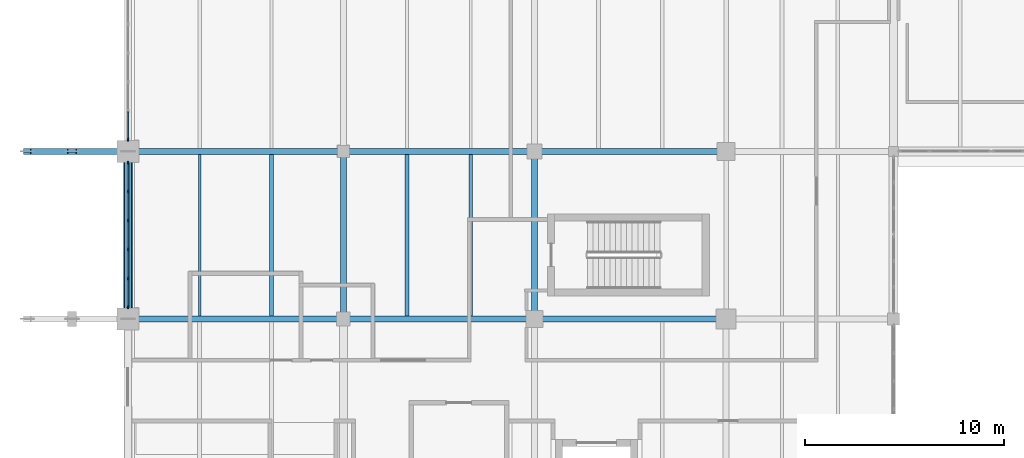
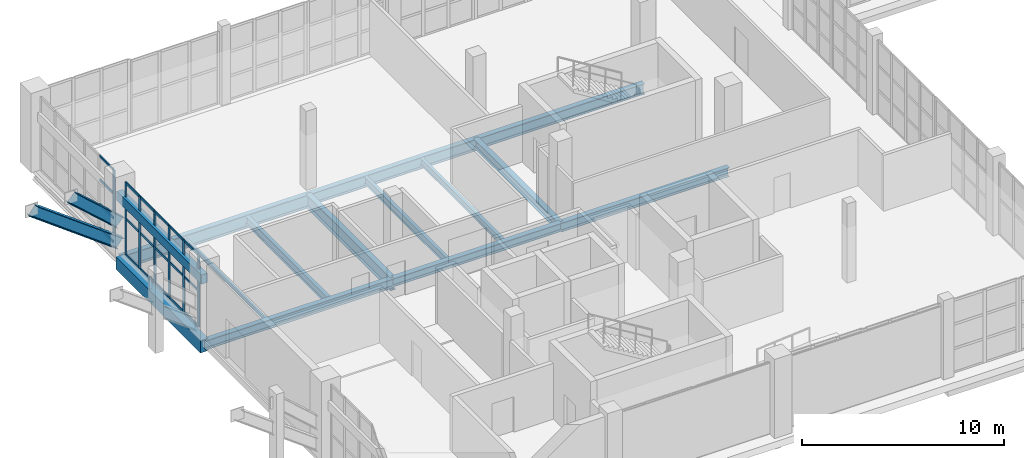
# One storey, part 7 of 121: 28 members, 14 beams, 2 elements without a shape of their own.
"""IFC4 building model written with IfcOpenShell, lengths in metres."""

from ifc_helpers import new_model, si_unit, direction, frame, origin, origin_2d, place, context, subcontext, project, spatial, rectangle, i_section, extrude, material, layer, layer_set, material_profile, profile_set, type_object, element, aggregate, save


model = new_model("IFC4")

# Units and contexts
model_context = context("Model", 3, precision=1e-05, world=origin(), true_north=direction((0.0, 1.0)))
body_context = subcontext(model_context, "Body", "Model", "MODEL_VIEW")
ifc_project = project(units=[si_unit("LENGTHUNIT", "METRE"), si_unit("AREAUNIT", "SQUARE_METRE"), si_unit("VOLUMEUNIT", "CUBIC_METRE"), si_unit("PLANEANGLEUNIT", "RADIAN"), si_unit("MASSUNIT", "GRAM", prefix="KILO")], contexts=[model_context])

# Site, building, storey
site_placement = place(None, origin())
site = spatial("IfcSite", under=ifc_project, at=site_placement, CompositionType="ELEMENT")
building_placement = place(site_placement, origin())
building = spatial("IfcBuilding", under=site, at=building_placement, Name="Zereglee Splitstone Museum", CompositionType="ELEMENT")
storey_placement = place(building_placement, origin())
storey = spatial("IfcBuildingStorey", under=building, at=storey_placement, Name="L00", CompositionType="ELEMENT", Elevation=0.0)

# Members
ifc_material_1 = material(Name="Steel S355J2", Category="steel")
ifc_material_profile_1 = material_profile(ifc_material_1, i_section(OverallWidth=0.300048828125, OverallDepth=0.64990234375, WebThickness=0.01611328125, FlangeThickness=0.031005859375, FilletRadius=0.027099609375, at=origin_2d()), Name="HE 650 B")
ifc_profile_set_1 = profile_set([ifc_material_profile_1], Name="Steel S355J2")
member_type_1 = type_object("IfcMemberType", Name="TB-09", PredefinedType="BRACE", material=ifc_profile_set_1)
member_1_placement = place(storey_placement, frame((9.60009765625, 30.0, 0.35009765625), z_axis=(-0.802855312728, 0.0, 0.596173923302), x_axis=(0.0, -1.0, 0.0)))
element("IfcMember", 1, at=member_1_placement, inside=storey, type_object=member_type_1, Name="Exposed Cantilever Raking Soffit Strut CT-04 Outer", PredefinedType="BRACE", context=body_context, shape_type="SweptSolid", body=[
    extrude(i_section(OverallWidth=0.300048828125, OverallDepth=0.64990234375, WebThickness=0.01611328125, FlangeThickness=0.031005859375, FilletRadius=0.027099609375, at=origin_2d()), origin(), (0.0, 0.0, 1.0), 6.2900390625),
])
member_2_placement = place(storey_placement, frame((9.60009765625, 30.0, 1.60009765625), z_axis=(-0.745943431645, 0.0, 0.666009306831), x_axis=(0.0, -1.0, 0.0)))
element("IfcMember", 2, at=member_2_placement, inside=storey, type_object=member_type_1, Name="Exposed Cantilever Raking Soffit Strut CT-04 Inner", PredefinedType="BRACE", context=body_context, shape_type="SweptSolid", body=[
    extrude(i_section(OverallWidth=0.300048828125, OverallDepth=0.64990234375, WebThickness=0.01611328125, FlangeThickness=0.031005859375, FilletRadius=0.027099609375, at=origin_2d()), origin(), (0.0, 0.0, 1.0), 3.753662109375),
])

# Curtain wall, member
ifc_material_2 = material(Name="Triple-glazed low-E argon glass and bronze-anodised aluminium", Category="aluminium")
ifc_layer_1 = layer(ifc_material_2, 0.179931640625)
ifc_layer_set_1 = layer_set([ifc_layer_1], Name="Triple-glazed low-E argon glass and bronze-anodised aluminium")
curtain_wall_type_1 = type_object("IfcCurtainWallType", Name="CW-0728-444", PredefinedType="USERDEFINED", material=ifc_layer_set_1)
curtain_wall_1_placement = place(storey_placement, origin())
curtain_wall_1 = element("IfcCurtainWall", 3, at=curtain_wall_1_placement, inside=storey, type_object=curtain_wall_type_1, Name="Glazed Curtain Wall CW-0728-444 (L00)", ObjectType="GLAZED CURTAIN WALL", PredefinedType="USERDEFINED")
ifc_material_3 = material(Name="Thermally broken bronze-anodised aluminium", Category="aluminium")
ifc_material_profile_2 = material_profile(ifc_material_3, rectangle(XDim=0.06494140625, YDim=0.179931640625, at=origin_2d()), Name="CW MULL 65x180")
ifc_profile_set_2 = profile_set([ifc_material_profile_2], Name="Thermally broken bronze-anodised aluminium")
member_type_2 = type_object("IfcMemberType", Name="CWM-01", PredefinedType="MULLION", material=ifc_profile_set_2)
member_3_placement = place(storey_placement, frame((9.60009765625, 30.590576171875, 0.0), z_axis=(0.0, 0.0, 1.0), x_axis=(1.0, 0.0, 0.0)))
member_3 = element("IfcMember", 4, at=member_3_placement, type_object=member_type_2, Name="CW-0728-444 mullion 6", PredefinedType="MULLION", context=body_context, shape_type="SweptSolid", body=[
    extrude(rectangle(XDim=0.06494140625, YDim=0.179931640625, at=origin_2d()), origin(), (0.0, 0.0, 1.0), 4.43994140625),
])

# Curtain wall, members
ifc_layer_2 = layer(ifc_material_2, 0.179931640625)
ifc_layer_set_2 = layer_set([ifc_layer_2], Name="Triple-glazed low-E argon glass and bronze-anodised aluminium")
curtain_wall_type_2 = type_object("IfcCurtainWallType", Name="CW-0728-438", PredefinedType="USERDEFINED", material=ifc_layer_set_2)
curtain_wall_2_placement = place(storey_placement, origin())
curtain_wall_2 = element("IfcCurtainWall", 5, at=curtain_wall_2_placement, inside=storey, type_object=curtain_wall_type_2, Name="Glazed Curtain Wall CW-0728-438 (L00)", ObjectType="GLAZED CURTAIN WALL", PredefinedType="USERDEFINED")
member_4_placement = place(storey_placement, frame((9.60009765625, 29.409423828125, 0.0), z_axis=(0.0, 0.0, 1.0), x_axis=(1.0, 0.0, 0.0)))
member_4 = element("IfcMember", 6, at=member_4_placement, type_object=member_type_2, Name="CW-0728-438 mullion 1", PredefinedType="MULLION", context=body_context, shape_type="SweptSolid", body=[
    extrude(rectangle(XDim=0.06494140625, YDim=0.179931640625, at=origin_2d()), origin(), (0.0, 0.0, 1.0), 4.3798828125),
])
member_5_placement = place(storey_placement, frame((9.60009765625, 27.985107421875, 0.0), z_axis=(0.0, 0.0, 1.0), x_axis=(1.0, 0.0, 0.0)))
member_5 = element("IfcMember", 7, at=member_5_placement, type_object=member_type_2, Name="CW-0728-438 mullion 2", PredefinedType="MULLION", context=body_context, shape_type="SweptSolid", body=[
    extrude(rectangle(XDim=0.06494140625, YDim=0.179931640625, at=origin_2d()), origin(), (0.0, 0.0, 1.0), 4.3798828125),
])
member_6_placement = place(storey_placement, frame((9.60009765625, 26.5283203125, 0.0), z_axis=(0.0, 0.0, 1.0), x_axis=(1.0, 0.0, 0.0)))
member_6 = element("IfcMember", 8, at=member_6_placement, type_object=member_type_2, Name="CW-0728-438 mullion 3", PredefinedType="MULLION", context=body_context, shape_type="SweptSolid", body=[
    extrude(rectangle(XDim=0.06494140625, YDim=0.179931640625, at=origin_2d()), origin(), (0.0, 0.0, 1.0), 4.3798828125),
])
member_7_placement = place(storey_placement, frame((9.60009765625, 25.071533203125, 0.0), z_axis=(0.0, 0.0, 1.0), x_axis=(1.0, 0.0, 0.0)))
member_7 = element("IfcMember", 9, at=member_7_placement, type_object=member_type_2, Name="CW-0728-438 mullion 4", PredefinedType="MULLION", context=body_context, shape_type="SweptSolid", body=[
    extrude(rectangle(XDim=0.06494140625, YDim=0.179931640625, at=origin_2d()), origin(), (0.0, 0.0, 1.0), 4.3798828125),
])
member_8_placement = place(storey_placement, frame((9.60009765625, 23.61474609375, 0.0), z_axis=(0.0, 0.0, 1.0), x_axis=(1.0, 0.0, 0.0)))
member_8 = element("IfcMember", 10, at=member_8_placement, type_object=member_type_2, Name="CW-0728-438 mullion 5", PredefinedType="MULLION", context=body_context, shape_type="SweptSolid", body=[
    extrude(rectangle(XDim=0.06494140625, YDim=0.179931640625, at=origin_2d()), origin(), (0.0, 0.0, 1.0), 4.3798828125),
])
member_9_placement = place(storey_placement, frame((9.60009765625, 22.1904296875, 0.0), z_axis=(0.0, 0.0, 1.0), x_axis=(1.0, 0.0, 0.0)))
member_9 = element("IfcMember", 11, at=member_9_placement, type_object=member_type_2, Name="CW-0728-438 mullion 6", PredefinedType="MULLION", context=body_context, shape_type="SweptSolid", body=[
    extrude(rectangle(XDim=0.06494140625, YDim=0.179931640625, at=origin_2d()), origin(), (0.0, 0.0, 1.0), 4.3798828125),
])

# Member
ifc_material_profile_3 = material_profile(ifc_material_3, rectangle(XDim=0.06494140625, YDim=0.139892578125, at=origin_2d()), Name="CW TRAN 65x140")
ifc_profile_set_3 = profile_set([ifc_material_profile_3], Name="Thermally broken bronze-anodised aluminium")
member_type_3 = type_object("IfcMemberType", Name="CWT-01", PredefinedType="USERDEFINED", material=ifc_profile_set_3)
member_10_placement = place(storey_placement, frame((9.60009765625, 31.982421875, 0.032470703125), z_axis=(0.0, -1.0, 0.0), x_axis=(1.0, 0.0, 0.0)))
member_10 = element("IfcMember", 12, at=member_10_placement, type_object=member_type_3, Name="CW-0728-444 transom 5.1", ObjectType="TRANSOM", PredefinedType="USERDEFINED", context=body_context, shape_type="SweptSolid", body=[
    extrude(rectangle(XDim=0.06494140625, YDim=0.139892578125, at=origin_2d()), origin(), (0.0, 0.0, 1.0), 1.359375),
])

member_11_placement = place(storey_placement, frame((9.60009765625, 31.982421875, 1.47998046875), z_axis=(0.0, -1.0, 0.0), x_axis=(1.0, 0.0, 0.0)))
member_11 = element("IfcMember", 13, at=member_11_placement, type_object=member_type_3, Name="CW-0728-444 transom 5.2", ObjectType="TRANSOM", PredefinedType="USERDEFINED", context=body_context, shape_type="SweptSolid", body=[
    extrude(rectangle(XDim=0.06494140625, YDim=0.139892578125, at=origin_2d()), origin(), (0.0, 0.0, 1.0), 1.359375),
])

member_12_placement = place(storey_placement, frame((9.60009765625, 31.982421875, 2.9599609375), z_axis=(0.0, -1.0, 0.0), x_axis=(1.0, 0.0, 0.0)))
member_12 = element("IfcMember", 14, at=member_12_placement, type_object=member_type_3, Name="CW-0728-444 transom 5.3", ObjectType="TRANSOM", PredefinedType="USERDEFINED", context=body_context, shape_type="SweptSolid", body=[
    extrude(rectangle(XDim=0.06494140625, YDim=0.139892578125, at=origin_2d()), origin(), (0.0, 0.0, 1.0), 1.359375),
])

member_13_placement = place(storey_placement, frame((9.60009765625, 31.982421875, 4.407470703125), z_axis=(0.0, -1.0, 0.0), x_axis=(1.0, 0.0, 0.0)))
member_13 = element("IfcMember", 15, at=member_13_placement, type_object=member_type_3, Name="CW-0728-444 transom 5.4", ObjectType="TRANSOM", PredefinedType="USERDEFINED", context=body_context, shape_type="SweptSolid", body=[
    extrude(rectangle(XDim=0.06494140625, YDim=0.139892578125, at=origin_2d()), origin(), (0.0, 0.0, 1.0), 1.359375),
])

aggregate(curtain_wall_1, [member_3, member_10, member_11, member_12, member_13])

member_14_placement = place(storey_placement, frame((9.60009765625, 29.376953125, 0.032470703125), z_axis=(0.0, -1.0, 0.0), x_axis=(1.0, 0.0, 0.0)))
member_14 = element("IfcMember", 16, at=member_14_placement, type_object=member_type_3, Name="CW-0728-438 transom 1.1", ObjectType="TRANSOM", PredefinedType="USERDEFINED", context=body_context, shape_type="SweptSolid", body=[
    extrude(rectangle(XDim=0.06494140625, YDim=0.139892578125, at=origin_2d()), origin(), (0.0, 0.0, 1.0), 1.359375),
])

member_15_placement = place(storey_placement, frame((9.60009765625, 29.376953125, 2.18994140625), z_axis=(0.0, -1.0, 0.0), x_axis=(1.0, 0.0, 0.0)))
member_15 = element("IfcMember", 17, at=member_15_placement, type_object=member_type_3, Name="CW-0728-438 transom 1.2", ObjectType="TRANSOM", PredefinedType="USERDEFINED", context=body_context, shape_type="SweptSolid", body=[
    extrude(rectangle(XDim=0.06494140625, YDim=0.139892578125, at=origin_2d()), origin(), (0.0, 0.0, 1.0), 1.359375),
])

member_16_placement = place(storey_placement, frame((9.60009765625, 29.376953125, 4.347412109375), z_axis=(0.0, -1.0, 0.0), x_axis=(1.0, 0.0, 0.0)))
member_16 = element("IfcMember", 18, at=member_16_placement, type_object=member_type_3, Name="CW-0728-438 transom 1.3", ObjectType="TRANSOM", PredefinedType="USERDEFINED", context=body_context, shape_type="SweptSolid", body=[
    extrude(rectangle(XDim=0.06494140625, YDim=0.139892578125, at=origin_2d()), origin(), (0.0, 0.0, 1.0), 1.359375),
])

member_17_placement = place(storey_placement, frame((9.60009765625, 27.95263671875, 0.032470703125), z_axis=(0.0, -1.0, 0.0), x_axis=(1.0, 0.0, 0.0)))
member_17 = element("IfcMember", 19, at=member_17_placement, type_object=member_type_3, Name="CW-0728-438 transom 2.1", ObjectType="TRANSOM", PredefinedType="USERDEFINED", context=body_context, shape_type="SweptSolid", body=[
    extrude(rectangle(XDim=0.06494140625, YDim=0.139892578125, at=origin_2d()), origin(), (0.0, 0.0, 1.0), 1.391845703125),
])

member_18_placement = place(storey_placement, frame((9.60009765625, 27.95263671875, 2.18994140625), z_axis=(0.0, -1.0, 0.0), x_axis=(1.0, 0.0, 0.0)))
member_18 = element("IfcMember", 20, at=member_18_placement, type_object=member_type_3, Name="CW-0728-438 transom 2.2", ObjectType="TRANSOM", PredefinedType="USERDEFINED", context=body_context, shape_type="SweptSolid", body=[
    extrude(rectangle(XDim=0.06494140625, YDim=0.139892578125, at=origin_2d()), origin(), (0.0, 0.0, 1.0), 1.391845703125),
])

member_19_placement = place(storey_placement, frame((9.60009765625, 27.95263671875, 4.347412109375), z_axis=(0.0, -1.0, 0.0), x_axis=(1.0, 0.0, 0.0)))
member_19 = element("IfcMember", 21, at=member_19_placement, type_object=member_type_3, Name="CW-0728-438 transom 2.3", ObjectType="TRANSOM", PredefinedType="USERDEFINED", context=body_context, shape_type="SweptSolid", body=[
    extrude(rectangle(XDim=0.06494140625, YDim=0.139892578125, at=origin_2d()), origin(), (0.0, 0.0, 1.0), 1.391845703125),
])

member_20_placement = place(storey_placement, frame((9.60009765625, 26.495849609375, 0.032470703125), z_axis=(0.0, -1.0, 0.0), x_axis=(1.0, 0.0, 0.0)))
member_20 = element("IfcMember", 22, at=member_20_placement, type_object=member_type_3, Name="CW-0728-438 transom 3.1", ObjectType="TRANSOM", PredefinedType="USERDEFINED", context=body_context, shape_type="SweptSolid", body=[
    extrude(rectangle(XDim=0.06494140625, YDim=0.139892578125, at=origin_2d()), origin(), (0.0, 0.0, 1.0), 1.391845703125),
])

member_21_placement = place(storey_placement, frame((9.60009765625, 26.495849609375, 2.18994140625), z_axis=(0.0, -1.0, 0.0), x_axis=(1.0, 0.0, 0.0)))
member_21 = element("IfcMember", 23, at=member_21_placement, type_object=member_type_3, Name="CW-0728-438 transom 3.2", ObjectType="TRANSOM", PredefinedType="USERDEFINED", context=body_context, shape_type="SweptSolid", body=[
    extrude(rectangle(XDim=0.06494140625, YDim=0.139892578125, at=origin_2d()), origin(), (0.0, 0.0, 1.0), 1.391845703125),
])

member_22_placement = place(storey_placement, frame((9.60009765625, 26.495849609375, 4.347412109375), z_axis=(0.0, -1.0, 0.0), x_axis=(1.0, 0.0, 0.0)))
member_22 = element("IfcMember", 24, at=member_22_placement, type_object=member_type_3, Name="CW-0728-438 transom 3.3", ObjectType="TRANSOM", PredefinedType="USERDEFINED", context=body_context, shape_type="SweptSolid", body=[
    extrude(rectangle(XDim=0.06494140625, YDim=0.139892578125, at=origin_2d()), origin(), (0.0, 0.0, 1.0), 1.391845703125),
])

member_23_placement = place(storey_placement, frame((9.60009765625, 25.0390625, 0.032470703125), z_axis=(0.0, -1.0, 0.0), x_axis=(1.0, 0.0, 0.0)))
member_23 = element("IfcMember", 25, at=member_23_placement, type_object=member_type_3, Name="CW-0728-438 transom 4.1", ObjectType="TRANSOM", PredefinedType="USERDEFINED", context=body_context, shape_type="SweptSolid", body=[
    extrude(rectangle(XDim=0.06494140625, YDim=0.139892578125, at=origin_2d()), origin(), (0.0, 0.0, 1.0), 1.391845703125),
])

member_24_placement = place(storey_placement, frame((9.60009765625, 25.0390625, 2.18994140625), z_axis=(0.0, -1.0, 0.0), x_axis=(1.0, 0.0, 0.0)))
member_24 = element("IfcMember", 26, at=member_24_placement, type_object=member_type_3, Name="CW-0728-438 transom 4.2", ObjectType="TRANSOM", PredefinedType="USERDEFINED", context=body_context, shape_type="SweptSolid", body=[
    extrude(rectangle(XDim=0.06494140625, YDim=0.139892578125, at=origin_2d()), origin(), (0.0, 0.0, 1.0), 1.391845703125),
])

member_25_placement = place(storey_placement, frame((9.60009765625, 25.0390625, 4.347412109375), z_axis=(0.0, -1.0, 0.0), x_axis=(1.0, 0.0, 0.0)))
member_25 = element("IfcMember", 27, at=member_25_placement, type_object=member_type_3, Name="CW-0728-438 transom 4.3", ObjectType="TRANSOM", PredefinedType="USERDEFINED", context=body_context, shape_type="SweptSolid", body=[
    extrude(rectangle(XDim=0.06494140625, YDim=0.139892578125, at=origin_2d()), origin(), (0.0, 0.0, 1.0), 1.391845703125),
])

member_26_placement = place(storey_placement, frame((9.60009765625, 23.582275390625, 0.032470703125), z_axis=(0.0, -1.0, 0.0), x_axis=(1.0, 0.0, 0.0)))
member_26 = element("IfcMember", 28, at=member_26_placement, type_object=member_type_3, Name="CW-0728-438 transom 5.1", ObjectType="TRANSOM", PredefinedType="USERDEFINED", context=body_context, shape_type="SweptSolid", body=[
    extrude(rectangle(XDim=0.06494140625, YDim=0.139892578125, at=origin_2d()), origin(), (0.0, 0.0, 1.0), 1.359375),
])

member_27_placement = place(storey_placement, frame((9.60009765625, 23.582275390625, 2.18994140625), z_axis=(0.0, -1.0, 0.0), x_axis=(1.0, 0.0, 0.0)))
member_27 = element("IfcMember", 29, at=member_27_placement, type_object=member_type_3, Name="CW-0728-438 transom 5.2", ObjectType="TRANSOM", PredefinedType="USERDEFINED", context=body_context, shape_type="SweptSolid", body=[
    extrude(rectangle(XDim=0.06494140625, YDim=0.139892578125, at=origin_2d()), origin(), (0.0, 0.0, 1.0), 1.359375),
])

member_28_placement = place(storey_placement, frame((9.60009765625, 23.582275390625, 4.347412109375), z_axis=(0.0, -1.0, 0.0), x_axis=(1.0, 0.0, 0.0)))
member_28 = element("IfcMember", 30, at=member_28_placement, type_object=member_type_3, Name="CW-0728-438 transom 5.3", ObjectType="TRANSOM", PredefinedType="USERDEFINED", context=body_context, shape_type="SweptSolid", body=[
    extrude(rectangle(XDim=0.06494140625, YDim=0.139892578125, at=origin_2d()), origin(), (0.0, 0.0, 1.0), 1.359375),
])

aggregate(curtain_wall_2, [member_4, member_5, member_6, member_7, member_8, member_9, member_14, member_15, member_16, member_17, member_18, member_19, member_20, member_21, member_22, member_23, member_24, member_25, member_26, member_27, member_28])

# Beams
ifc_material_profile_4 = material_profile(ifc_material_1, i_section(OverallWidth=0.300048828125, OverallDepth=0.5, WebThickness=0.014404296875, FlangeThickness=0.028076171875, FilletRadius=0.027099609375, at=origin_2d()), Name="HE 500 B")
ifc_profile_set_4 = profile_set([ifc_material_profile_4], Name="Steel S355J2")
beam_type_1 = type_object("IfcBeamType", Name="BG-12", PredefinedType="BEAM", material=ifc_profile_set_4)
beam_1_placement = place(storey_placement, frame((20.39990234375, 21.60009765625, -0.669921875), z_axis=(1.0, 0.0, 0.0), x_axis=(0.0, 1.0, 0.0)))
element("IfcBeam", 31, at=beam_1_placement, inside=storey, type_object=beam_type_1, Name="Primary Girder L00 C (20.4-30.0)", PredefinedType="BEAM", context=body_context, shape_type="SweptSolid", body=[
    extrude(i_section(OverallWidth=0.300048828125, OverallDepth=0.5, WebThickness=0.014404296875, FlangeThickness=0.028076171875, FilletRadius=0.027099609375, at=origin_2d()), origin(), (0.0, 0.0, 1.0), 9.60009765625),
])
ifc_material_profile_5 = material_profile(ifc_material_1, i_section(OverallWidth=0.300048828125, OverallDepth=0.550048828125, WebThickness=0.014892578125, FlangeThickness=0.029052734375, FilletRadius=0.027099609375, at=origin_2d()), Name="HE 550 B")
ifc_profile_set_5 = profile_set([ifc_material_profile_5], Name="Steel S355J2")
beam_type_2 = type_object("IfcBeamType", Name="BG-11", PredefinedType="BEAM", material=ifc_profile_set_5)
beam_2_placement = place(storey_placement, frame((9.60009765625, 21.60009765625, -0.695068359375), z_axis=(1.0, 0.0, 0.0), x_axis=(0.0, 1.0, 0.0)))
element("IfcBeam", 32, at=beam_2_placement, inside=storey, type_object=beam_type_2, Name="Primary Girder L00 C (9.6-20.4)", PredefinedType="BEAM", context=body_context, shape_type="SweptSolid", body=[
    extrude(i_section(OverallWidth=0.300048828125, OverallDepth=0.550048828125, WebThickness=0.014892578125, FlangeThickness=0.029052734375, FilletRadius=0.027099609375, at=origin_2d()), origin(), (0.0, 0.0, 1.0), 10.7998046875),
])
beam_3_placement = place(storey_placement, frame((30.0, 21.60009765625, -0.695068359375), z_axis=(1.0, 0.0, 0.0), x_axis=(0.0, 1.0, 0.0)))
element("IfcBeam", 33, at=beam_3_placement, inside=storey, type_object=beam_type_2, Name="Primary Girder L00 C (30.0-39.6)", PredefinedType="BEAM", context=body_context, shape_type="SweptSolid", body=[
    extrude(i_section(OverallWidth=0.300048828125, OverallDepth=0.550048828125, WebThickness=0.014892578125, FlangeThickness=0.029052734375, FilletRadius=0.027099609375, at=origin_2d()), origin(), (0.0, 0.0, 1.0), 9.60009765625),
])
beam_4_placement = place(storey_placement, frame((30.0, 21.60009765625, -0.695068359375), z_axis=(0.0, 1.0, 0.0), x_axis=(-1.0, 0.0, 0.0)))
element("IfcBeam", 34, at=beam_4_placement, inside=storey, type_object=beam_type_2, Name="Primary Girder L00 5 (21.6-30.0)", PredefinedType="BEAM", context=body_context, shape_type="SweptSolid", body=[
    extrude(i_section(OverallWidth=0.300048828125, OverallDepth=0.550048828125, WebThickness=0.014892578125, FlangeThickness=0.029052734375, FilletRadius=0.027099609375, at=origin_2d()), origin(), (0.0, 0.0, 1.0), 8.39990234375),
])
ifc_material_profile_6 = material_profile(ifc_material_1, i_section(OverallWidth=0.300048828125, OverallDepth=0.64990234375, WebThickness=0.01611328125, FlangeThickness=0.031005859375, FilletRadius=0.027099609375, at=origin_2d()), Name="HE 650 B")
ifc_profile_set_6 = profile_set([ifc_material_profile_6], Name="Steel S355J2")
beam_type_3 = type_object("IfcBeamType", Name="BG-09", PredefinedType="BEAM", material=ifc_profile_set_6)
beam_5_placement = place(storey_placement, frame((30.0, 30.0, -0.7451171875), z_axis=(1.0, 0.0, 0.0), x_axis=(0.0, 1.0, 0.0)))
element("IfcBeam", 35, at=beam_5_placement, inside=storey, type_object=beam_type_3, Name="Primary Girder L00 D (30.0-39.6)", PredefinedType="BEAM", context=body_context, shape_type="SweptSolid", body=[
    extrude(i_section(OverallWidth=0.300048828125, OverallDepth=0.64990234375, WebThickness=0.01611328125, FlangeThickness=0.031005859375, FilletRadius=0.027099609375, at=origin_2d()), origin(), (0.0, 0.0, 1.0), 9.60009765625),
])
ifc_material_profile_7 = material_profile(ifc_material_1, i_section(OverallWidth=0.300048828125, OverallDepth=0.699951171875, WebThickness=0.01708984375, FlangeThickness=0.031982421875, FilletRadius=0.027099609375, at=origin_2d()), Name="HE 700 B")
ifc_profile_set_7 = profile_set([ifc_material_profile_7], Name="Steel S355J2")
beam_type_4 = type_object("IfcBeamType", Name="BG-08", PredefinedType="BEAM", material=ifc_profile_set_7)
beam_6_placement = place(storey_placement, frame((20.39990234375, 30.0, -0.77001953125), z_axis=(1.0, 0.0, 0.0), x_axis=(0.0, 1.0, 0.0)))
element("IfcBeam", 36, at=beam_6_placement, inside=storey, type_object=beam_type_4, Name="Primary Girder L00 D (20.4-30.0)", PredefinedType="BEAM", context=body_context, shape_type="SweptSolid", body=[
    extrude(i_section(OverallWidth=0.300048828125, OverallDepth=0.699951171875, WebThickness=0.01708984375, FlangeThickness=0.031982421875, FilletRadius=0.027099609375, at=origin_2d()), origin(), (0.0, 0.0, 1.0), 9.60009765625),
])
ifc_material_profile_8 = material_profile(ifc_material_1, i_section(OverallWidth=0.300048828125, OverallDepth=0.800048828125, WebThickness=0.017578125, FlangeThickness=0.032958984375, FilletRadius=0.030029296875, at=origin_2d()), Name="HE 800 B")
ifc_profile_set_8 = profile_set([ifc_material_profile_8], Name="Steel S355J2")
beam_type_5 = type_object("IfcBeamType", Name="BG-07", PredefinedType="BEAM", material=ifc_profile_set_8)
beam_7_placement = place(storey_placement, frame((9.60009765625, 30.0, -0.820068359375), z_axis=(1.0, 0.0, 0.0), x_axis=(0.0, 1.0, 0.0)))
element("IfcBeam", 37, at=beam_7_placement, inside=storey, type_object=beam_type_5, Name="Primary Girder L00 D (9.6-20.4)", PredefinedType="BEAM", context=body_context, shape_type="SweptSolid", body=[
    extrude(i_section(OverallWidth=0.300048828125, OverallDepth=0.800048828125, WebThickness=0.017578125, FlangeThickness=0.032958984375, FilletRadius=0.030029296875, at=origin_2d()), origin(), (0.0, 0.0, 1.0), 10.7998046875),
])
beam_8_placement = place(storey_placement, frame((20.39990234375, 21.60009765625, -0.820068359375), z_axis=(0.0, 1.0, 0.0), x_axis=(-1.0, 0.0, 0.0)))
element("IfcBeam", 38, at=beam_8_placement, inside=storey, type_object=beam_type_5, Name="Primary Girder L00 4 (21.6-30.0)", PredefinedType="BEAM", context=body_context, shape_type="SweptSolid", body=[
    extrude(i_section(OverallWidth=0.300048828125, OverallDepth=0.800048828125, WebThickness=0.017578125, FlangeThickness=0.032958984375, FilletRadius=0.030029296875, at=origin_2d()), origin(), (0.0, 0.0, 1.0), 8.39990234375),
])
ifc_material_profile_9 = material_profile(ifc_material_1, i_section(OverallWidth=0.1201171875, OverallDepth=0.239990234375, WebThickness=0.006103515625, FlangeThickness=0.009765625, FilletRadius=0.014892578125, at=origin_2d()), Name="IPE 240")
ifc_profile_set_9 = profile_set([ifc_material_profile_9], Name="Steel S355J2")
beam_type_6 = type_object("IfcBeamType", Name="BJ-07", PredefinedType="JOIST", material=ifc_profile_set_9)
beam_9_placement = place(storey_placement, frame((13.199951171875, 21.75, -0.5400390625), z_axis=(0.0, 1.0, 0.0), x_axis=(-1.0, 0.0, 0.0)))
element("IfcBeam", 39, at=beam_9_placement, inside=storey, type_object=beam_type_6, Name="Secondary Floor Joist L00-0307", PredefinedType="JOIST", context=body_context, shape_type="SweptSolid", body=[
    extrude(i_section(OverallWidth=0.1201171875, OverallDepth=0.239990234375, WebThickness=0.006103515625, FlangeThickness=0.009765625, FilletRadius=0.014892578125, at=origin_2d()), origin(), (0.0, 0.0, 1.0), 8.10009765625),
])
ifc_material_profile_10 = material_profile(ifc_material_1, i_section(OverallWidth=0.179931640625, OverallDepth=0.39990234375, WebThickness=0.008544921875, FlangeThickness=0.013427734375, FilletRadius=0.02099609375, at=origin_2d()), Name="IPE 400")
ifc_profile_set_10 = profile_set([ifc_material_profile_10], Name="Steel S355J2")
beam_type_7 = type_object("IfcBeamType", Name="BJ-03", PredefinedType="JOIST", material=ifc_profile_set_10)
beam_10_placement = place(storey_placement, frame((26.800048828125, 21.75, -0.6201171875), z_axis=(0.0, 1.0, 0.0), x_axis=(-1.0, 0.0, 0.0)))
element("IfcBeam", 40, at=beam_10_placement, inside=storey, type_object=beam_type_7, Name="Secondary Floor Joist L00-0310", PredefinedType="JOIST", context=body_context, shape_type="SweptSolid", body=[
    extrude(i_section(OverallWidth=0.179931640625, OverallDepth=0.39990234375, WebThickness=0.008544921875, FlangeThickness=0.013427734375, FilletRadius=0.02099609375, at=origin_2d()), origin(), (0.0, 0.0, 1.0), 8.10009765625),
])
ifc_material_profile_11 = material_profile(ifc_material_1, i_section(OverallWidth=0.18994140625, OverallDepth=0.449951171875, WebThickness=0.009521484375, FlangeThickness=0.0146484375, FilletRadius=0.02099609375, at=origin_2d()), Name="IPE 450")
ifc_profile_set_11 = profile_set([ifc_material_profile_11], Name="Steel S355J2")
beam_type_8 = type_object("IfcBeamType", Name="BJ-02", PredefinedType="JOIST", material=ifc_profile_set_11)
beam_11_placement = place(storey_placement, frame((23.60009765625, 21.75, -0.64501953125), z_axis=(0.0, 1.0, 0.0), x_axis=(-1.0, 0.0, 0.0)))
element("IfcBeam", 41, at=beam_11_placement, inside=storey, type_object=beam_type_8, Name="Secondary Floor Joist L00-0309", PredefinedType="JOIST", context=body_context, shape_type="SweptSolid", body=[
    extrude(i_section(OverallWidth=0.18994140625, OverallDepth=0.449951171875, WebThickness=0.009521484375, FlangeThickness=0.0146484375, FilletRadius=0.02099609375, at=origin_2d()), origin(), (0.0, 0.0, 1.0), 8.10009765625),
])
ifc_material_profile_12 = material_profile(ifc_material_1, i_section(OverallWidth=0.199951171875, OverallDepth=0.5, WebThickness=0.01025390625, FlangeThickness=0.01611328125, FilletRadius=0.02099609375, at=origin_2d()), Name="IPE 500")
ifc_profile_set_12 = profile_set([ifc_material_profile_12], Name="Steel S355J2")
beam_type_9 = type_object("IfcBeamType", Name="BJ-01", PredefinedType="JOIST", material=ifc_profile_set_12)
beam_12_placement = place(storey_placement, frame((16.800048828125, 21.75, -0.669921875), z_axis=(0.0, 1.0, 0.0), x_axis=(-1.0, 0.0, 0.0)))
element("IfcBeam", 42, at=beam_12_placement, inside=storey, type_object=beam_type_9, Name="Secondary Floor Joist L00-0308", PredefinedType="JOIST", context=body_context, shape_type="SweptSolid", body=[
    extrude(i_section(OverallWidth=0.199951171875, OverallDepth=0.5, WebThickness=0.01025390625, FlangeThickness=0.01611328125, FilletRadius=0.02099609375, at=origin_2d()), origin(), (0.0, 0.0, 1.0), 8.10009765625),
])
ifc_material_4 = material(Name="Precast concrete C40/50", Category="concrete")
ifc_material_profile_13 = material_profile(ifc_material_4, rectangle(XDim=0.35009765625, YDim=0.550048828125, at=origin_2d()), Name="RC 350x550")
ifc_profile_set_13 = profile_set([ifc_material_profile_13], Name="Precast concrete C40/50")
beam_type_10 = type_object("IfcBeamType", Name="LN-01", PredefinedType="LINTEL", material=ifc_profile_set_13)
beam_13_placement = place(storey_placement, frame((9.60009765625, 21.60009765625, 3.25), z_axis=(0.0, 1.0, 0.0), x_axis=(-1.0, 0.0, 0.0)))
element("IfcBeam", 43, at=beam_13_placement, inside=storey, type_object=beam_type_10, Name="Pishtaq Portal Lintel LNT-03", PredefinedType="LINTEL", context=body_context, shape_type="SweptSolid", body=[
    extrude(rectangle(XDim=0.35009765625, YDim=0.550048828125, at=origin_2d()), origin(), (0.0, 0.0, 1.0), 8.39990234375),
])
ifc_material_5 = material(Name="Concrete C40/50", Category="concrete")
ifc_material_profile_14 = material_profile(ifc_material_5, rectangle(XDim=0.449951171875, YDim=0.75, at=origin_2d()), Name="RC 450x750")
ifc_profile_set_14 = profile_set([ifc_material_profile_14], Name="Concrete C40/50")
beam_type_11 = type_object("IfcBeamType", Name="SP-01", PredefinedType="SPANDREL", material=ifc_profile_set_14)
beam_14_placement = place(storey_placement, frame((9.60009765625, 21.60009765625, -0.794921875), z_axis=(0.0, 1.0, 0.0), x_axis=(-1.0, 0.0, 0.0)))
element("IfcBeam", 44, at=beam_14_placement, inside=storey, type_object=beam_type_11, Name="Primary Girder L00 2 (21.6-30.0)", PredefinedType="SPANDREL", context=body_context, shape_type="SweptSolid", body=[
    extrude(rectangle(XDim=0.449951171875, YDim=0.75, at=origin_2d()), origin(), (0.0, 0.0, 1.0), 8.39990234375),
])

save(model, "model.ifc")
